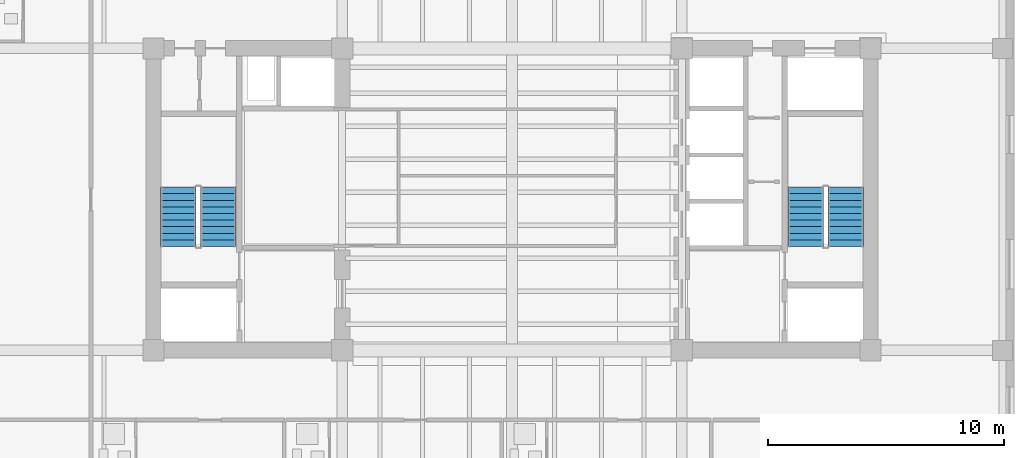
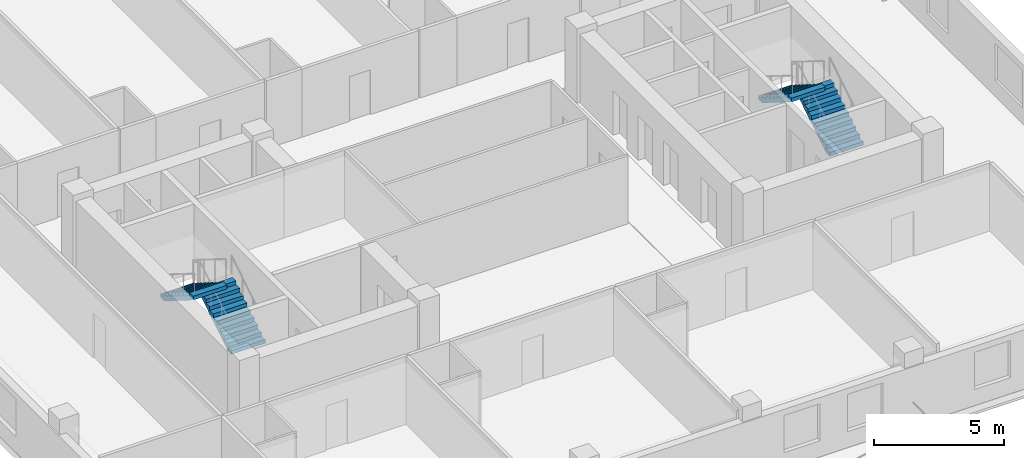
# One storey, part 6 of 10: 4 stair flights, 2 elements without a shape of their own.
"""IFC4 building model written with IfcOpenShell, lengths in metres."""

import ifcopenshell
import ifcopenshell.guid

model = None  # the IFC model being written
_history = None  # IfcOwnerHistory: only IFC2X3 demands one
_inside = {}  # id of a spatial element -> (the spatial element, [elements in it])
_under = {}  # id of a project, library or spatial element -> (it, [spatial elements below it])
_declared = {}  # id of a project -> (the project, [libraries it declares])
_typed = {}  # id of a type object -> (the type object, [elements of that type])
_made_of = {}  # id of a material, layer set ... -> (it, [elements and type objects made of it])


def new_model(schema):
    """Start an empty IFC model of exactly this schema.

    Asked for "IFC4X3", IfcOpenShell would pick the latest addendum, in which some entities
    have other attributes; the version numbers below select the first issue.
    IFC2X3 requires an IfcOwnerHistory on every rooted entity: one is made here for all.
    """
    global model, _history
    if schema == "IFC4X3":
        model = ifcopenshell.file(schema_version=(4, 3, 0, 0))
    else:
        model = ifcopenshell.file(schema=schema)
    _inside.clear()
    _under.clear()
    _declared.clear()
    _typed.clear()
    _made_of.clear()
    _history = None
    if model.schema == "IFC2X3":
        org = make("IfcOrganization", Name="unknown")
        user = make(
            "IfcPersonAndOrganization",
            ThePerson=make("IfcPerson", FamilyName="unknown"),
            TheOrganization=org,
        )
        app = make(
            "IfcApplication",
            ApplicationDeveloper=org,
            Version="unknown",
            ApplicationFullName="unknown",
            ApplicationIdentifier="unknown",
        )
        _history = make(
            "IfcOwnerHistory",
            OwningUser=user,
            OwningApplication=app,
            ChangeAction="ADDED",
            CreationDate=0,
        )
    return model


def make(cls, **values):
    """One entity of the class cls with the attributes given. An attribute that is None is left unset."""
    return model.create_entity(
        cls, **{name: value for name, value in values.items() if value is not None}
    )


def rooted(cls, **values):
    """An entity with a GlobalId (a new one), such as an element, a storey or a relation."""
    return make(cls, GlobalId=ifcopenshell.guid.new(), OwnerHistory=_history, **values)


def si_unit(unit_type, name, prefix=None):
    """IfcSIUnit, for example si_unit("LENGTHUNIT", "METRE", prefix="MILLI")."""
    return make("IfcSIUnit", UnitType=unit_type, Prefix=prefix, Name=name)


def assignment(units):
    """IfcUnitAssignment: the units of a project."""
    return None if units is None else make("IfcUnitAssignment", Units=units)


def point(xyz):
    """IfcCartesianPoint."""
    return None if xyz is None else make("IfcCartesianPoint", Coordinates=xyz)


def direction(xyz):
    """IfcDirection."""
    return None if xyz is None else make("IfcDirection", DirectionRatios=xyz)


def frame(location, z_axis=None, x_axis=None):
    """IfcAxis2Placement3D, a coordinate frame: its origin and axes. An axis left out is left unset."""
    return make(
        "IfcAxis2Placement3D",
        Location=point(location),
        Axis=direction(z_axis),
        RefDirection=direction(x_axis),
    )


def origin():
    """The frame at (0, 0, 0) with its axes left unset."""
    return frame((0.0, 0.0, 0.0))


def place(relative_to, where):
    """IfcLocalPlacement: puts the frame where relative to a parent placement (None: the world)."""
    return make(
        "IfcLocalPlacement", PlacementRelTo=relative_to, RelativePlacement=where
    )


def context(
    kind, dimensions, precision=None, world=None, true_north=None, identifier=None
):
    """IfcGeometricRepresentationContext, for example the 3D "Model" context."""
    return make(
        "IfcGeometricRepresentationContext",
        ContextIdentifier=identifier,
        ContextType=kind,
        CoordinateSpaceDimension=dimensions,
        Precision=precision,
        WorldCoordinateSystem=world,
        TrueNorth=true_north,
    )


def subcontext(parent, identifier, kind, view, scale=None):
    """IfcGeometricRepresentationSubContext, for example "Body" below "Model"."""
    return make(
        "IfcGeometricRepresentationSubContext",
        ContextIdentifier=identifier,
        ContextType=kind,
        ParentContext=parent,
        TargetScale=scale,
        TargetView=view,
    )


def project(units=None, contexts=None):
    """IfcProject with its units and contexts."""
    return rooted(
        "IfcProject",
        Name="project",
        RepresentationContexts=contexts,
        UnitsInContext=assignment(units),
    )


def spatial(cls, under=None, at=None, **own):
    """A site, building, storey or space (cls), placed at a placement, below another one or the project."""
    s = rooted(cls, ObjectPlacement=at, **own)
    if under is not None:
        _under.setdefault(under.id(), (under, []))[1].append(s)
    return s


def polyline(points):
    """IfcPolyline through the points."""
    return make("IfcPolyline", Points=[point(p) for p in points])


def outline(outer, holes=None, kind="AREA"):
    """IfcArbitraryClosedProfileDef: a profile drawn as a closed curve; with holes, ...WithVoids."""
    if holes is None:
        return make("IfcArbitraryClosedProfileDef", ProfileType=kind, OuterCurve=outer)
    return make(
        "IfcArbitraryProfileDefWithVoids",
        ProfileType=kind,
        OuterCurve=outer,
        InnerCurves=holes,
    )


def extrude(swept, where, along, depth):
    """IfcExtrudedAreaSolid: the profile swept, set in the frame where, extruded along a direction by depth."""
    return make(
        "IfcExtrudedAreaSolid",
        SweptArea=swept,
        Position=where,
        ExtrudedDirection=direction(along),
        Depth=depth,
    )


def shape(context_of_items, identifier, shape_type, items):
    """IfcShapeRepresentation: the items that make up one representation, for example the "Body"."""
    return make(
        "IfcShapeRepresentation",
        ContextOfItems=context_of_items,
        RepresentationIdentifier=identifier,
        RepresentationType=shape_type,
        Items=items,
    )


def material(Name=None, Category=None):
    """IfcMaterial."""
    return make("IfcMaterial", Name=Name, Category=Category)


def made_of(thing, what):
    """Note that an element or type object is made of a material, layer set ...; save() writes the relation."""
    if what is not None:
        _made_of.setdefault(what.id(), (what, []))[1].append(thing)
    return thing


def type_object(cls, material=None, **own):
    """A type object (cls), such as IfcWallType, which elements share."""
    return made_of(rooted(cls, **own), material)


def element(
    cls,
    number,
    at=None,
    inside=None,
    cuts=None,
    type_object=None,
    material=None,
    context=None,
    identifier="Body",
    shape_type=None,
    held_by="IfcProductDefinitionShape",
    body=None,
    shapes=None,
    **own,
):
    """One element of the class cls, such as IfcWall. Its Tag is "e" and its number.

    at: its placement. inside: the storey or other place that contains it. cuts: it is an
    opening in that element (IfcRelVoidsElement). A single representation is given by context,
    identifier, shape_type and body (its items); several are given by shapes. held_by: the class
    of the entity that holds the representations. save() writes the other relations.
    """
    e = rooted(cls, Tag="e%d" % number, ObjectPlacement=at, **own)
    if body is not None:
        shapes = [shape(context, identifier, shape_type, body)]
    if shapes is not None:
        e.Representation = make(held_by, Representations=shapes)
    if inside is not None:
        _inside.setdefault(inside.id(), (inside, []))[1].append(e)
    if cuts is not None:
        rooted(
            "IfcRelVoidsElement", RelatingBuildingElement=cuts, RelatedOpeningElement=e
        )
    if type_object is not None:
        _typed.setdefault(type_object.id(), (type_object, []))[1].append(e)
    return made_of(e, material)


def aggregate(whole, parts):
    """IfcRelAggregates: a whole, such as a stair, and the parts it consists of."""
    return rooted("IfcRelAggregates", RelatingObject=whole, RelatedObjects=parts)


def save(model, path):
    """Write the relations noted so far, then the file.

    IfcRelAggregates (storeys below a building ...), IfcRelContainedInSpatialStructure (elements
    in a storey), IfcRelDefinesByType, IfcRelAssociatesMaterial and IfcRelDeclares: one each for
    every whole, place, type object, material and project.
    """
    for whole, parts in _under.values():
        aggregate(whole, parts)
    for where, things in _inside.values():
        rooted(
            "IfcRelContainedInSpatialStructure",
            RelatedElements=things,
            RelatingStructure=where,
        )
    for kind, things in _typed.values():
        rooted("IfcRelDefinesByType", RelatedObjects=things, RelatingType=kind)
    for what, things in _made_of.values():
        rooted("IfcRelAssociatesMaterial", RelatedObjects=things, RelatingMaterial=what)
    for by, libraries in _declared.values():
        rooted("IfcRelDeclares", RelatingContext=by, RelatedDefinitions=libraries)
    model.write(path)


model = new_model("IFC4")

# Units and contexts
model_context = context("Model", 3, precision=1e-05, world=origin(), true_north=direction((0.0, 1.0)))
body_context = subcontext(model_context, "Body", "Model", "MODEL_VIEW")
ifc_project = project(units=[si_unit("LENGTHUNIT", "METRE"), si_unit("AREAUNIT", "SQUARE_METRE"), si_unit("VOLUMEUNIT", "CUBIC_METRE"), si_unit("PLANEANGLEUNIT", "RADIAN"), si_unit("MASSUNIT", "GRAM", prefix="KILO")], contexts=[model_context])

# Site, building, storey
site_placement = place(None, origin())
site = spatial("IfcSite", under=ifc_project, at=site_placement, CompositionType="ELEMENT")
building_placement = place(site_placement, origin())
building = spatial("IfcBuilding", under=site, at=building_placement, Name="Kranthara Brick Stack", CompositionType="ELEMENT")
storey_placement = place(building_placement, frame((0.0, 0.0, 186.800048828125)))
storey = spatial("IfcBuildingStorey", under=building, at=storey_placement, Name="L48", CompositionType="ELEMENT", Elevation=186.800048828125)

# Stair, stair flights
ifc_material_1 = material(Name="Concrete C45/55", Category="concrete")
stair_type = type_object("IfcStairType", Name="ST-CORE-20R", PredefinedType="HALF_TURN_STAIR", material=ifc_material_1)
stair_1_placement = place(storey_placement, origin())
stair_1 = element("IfcStair", 1, at=stair_1_placement, inside=storey, type_object=stair_type, Name="L48 West Core Protected Exit Stair ST01", PredefinedType="HALF_TURN_STAIR")
ifc_material_2 = material(Name="Concrete C45/55", Category="concrete")
stair_flight_type = type_object("IfcStairFlightType", Name="SFL-RC-20R", PredefinedType="STRAIGHT", material=ifc_material_2)
stair_flight_1_placement = place(storey_placement, frame((15.550048828125, 25.199951171875, 0.0), z_axis=(0.0, 0.0, 1.0), x_axis=(0.0, 1.0, 0.0)))
stair_flight_1 = element("IfcStairFlight", 2, at=stair_flight_1_placement, type_object=stair_flight_type, Name="ST01 flight 1", NumberOfRisers=10, NumberOfTreads=9, PredefinedType="STRAIGHT", RiserHeight=0.175, TreadLength=0.28, context=body_context, shape_type="SweptSolid", body=[
    extrude(outline(polyline([(0.0, 0.0), (0.0, 0.175048828125), (0.280029296875, 0.175048828125), (0.280029296875, 0.35009765625), (0.56005859375, 0.35009765625), (0.56005859375, 0.52490234375), (0.840087890625, 0.52490234375), (0.840087890625, 0.699951171875), (1.1201171875, 0.699951171875), (1.1201171875, 0.875), (1.39990234375, 0.875), (1.39990234375, 1.050048828125), (1.679931640625, 1.050048828125), (1.679931640625, 1.22509765625), (1.9599609375, 1.22509765625), (1.9599609375, 1.39990234375), (2.239990234375, 1.39990234375), (2.239990234375, 1.574951171875), (2.52001953125, 1.574951171875), (2.52001953125, 1.75), (2.52001953125, 1.398193359375), (0.28271484375, 0.0), (0.0, 0.0)])), frame((0.0, 0.75, 0.0), z_axis=(0.0, -1.0, 0.0), x_axis=(1.0, 0.0, 0.0)), (0.0, 0.0, 1.0), 1.5),
])
stair_flight_2_placement = place(storey_placement, frame((13.85009765625, 27.719970703125, 1.75), z_axis=(0.0, 0.0, 1.0), x_axis=(0.0, -1.0, 0.0)))
stair_flight_2 = element("IfcStairFlight", 3, at=stair_flight_2_placement, type_object=stair_flight_type, Name="ST01 flight 2", NumberOfRisers=10, NumberOfTreads=9, PredefinedType="STRAIGHT", RiserHeight=0.175, TreadLength=0.28, context=body_context, shape_type="SweptSolid", body=[
    extrude(outline(polyline([(0.0, 0.0), (0.0, 0.175048828125), (0.280029296875, 0.175048828125), (0.280029296875, 0.35009765625), (0.56005859375, 0.35009765625), (0.56005859375, 0.52490234375), (0.840087890625, 0.52490234375), (0.840087890625, 0.699951171875), (1.1201171875, 0.699951171875), (1.1201171875, 0.875), (1.39990234375, 0.875), (1.39990234375, 1.050048828125), (1.679931640625, 1.050048828125), (1.679931640625, 1.22509765625), (1.9599609375, 1.22509765625), (1.9599609375, 1.39990234375), (2.239990234375, 1.39990234375), (2.239990234375, 1.574951171875), (2.52001953125, 1.574951171875), (2.52001953125, 1.75), (2.52001953125, 1.398193359375), (0.28271484375, 0.0), (0.0, 0.0)])), frame((0.0, 0.75, 0.0), z_axis=(0.0, -1.0, 0.0), x_axis=(1.0, 0.0, 0.0)), (0.0, 0.0, 1.0), 1.5),
])
aggregate(stair_1, [stair_flight_1, stair_flight_2])

stair_2_placement = place(storey_placement, origin())
stair_2 = element("IfcStair", 4, at=stair_2_placement, inside=storey, type_object=stair_type, Name="L48 East Core Protected Exit Stair ST02", PredefinedType="HALF_TURN_STAIR")
stair_flight_3_placement = place(storey_placement, frame((42.14990234375, 25.199951171875, 0.0), z_axis=(0.0, 0.0, 1.0), x_axis=(0.0, 1.0, 0.0)))
stair_flight_3 = element("IfcStairFlight", 5, at=stair_flight_3_placement, type_object=stair_flight_type, Name="ST02 flight 1", NumberOfRisers=10, NumberOfTreads=9, PredefinedType="STRAIGHT", RiserHeight=0.175, TreadLength=0.28, context=body_context, shape_type="SweptSolid", body=[
    extrude(outline(polyline([(0.0, 0.0), (0.0, 0.175048828125), (0.280029296875, 0.175048828125), (0.280029296875, 0.35009765625), (0.56005859375, 0.35009765625), (0.56005859375, 0.52490234375), (0.840087890625, 0.52490234375), (0.840087890625, 0.699951171875), (1.1201171875, 0.699951171875), (1.1201171875, 0.875), (1.39990234375, 0.875), (1.39990234375, 1.050048828125), (1.679931640625, 1.050048828125), (1.679931640625, 1.22509765625), (1.9599609375, 1.22509765625), (1.9599609375, 1.39990234375), (2.239990234375, 1.39990234375), (2.239990234375, 1.574951171875), (2.52001953125, 1.574951171875), (2.52001953125, 1.75), (2.52001953125, 1.398193359375), (0.28271484375, 0.0), (0.0, 0.0)])), frame((0.0, 0.75, 0.0), z_axis=(0.0, -1.0, 0.0), x_axis=(1.0, 0.0, 0.0)), (0.0, 0.0, 1.0), 1.5),
])
stair_flight_4_placement = place(storey_placement, frame((40.449951171875, 27.719970703125, 1.75), z_axis=(0.0, 0.0, 1.0), x_axis=(0.0, -1.0, 0.0)))
stair_flight_4 = element("IfcStairFlight", 6, at=stair_flight_4_placement, type_object=stair_flight_type, Name="ST02 flight 2", NumberOfRisers=10, NumberOfTreads=9, PredefinedType="STRAIGHT", RiserHeight=0.175, TreadLength=0.28, context=body_context, shape_type="SweptSolid", body=[
    extrude(outline(polyline([(0.0, 0.0), (0.0, 0.175048828125), (0.280029296875, 0.175048828125), (0.280029296875, 0.35009765625), (0.56005859375, 0.35009765625), (0.56005859375, 0.52490234375), (0.840087890625, 0.52490234375), (0.840087890625, 0.699951171875), (1.1201171875, 0.699951171875), (1.1201171875, 0.875), (1.39990234375, 0.875), (1.39990234375, 1.050048828125), (1.679931640625, 1.050048828125), (1.679931640625, 1.22509765625), (1.9599609375, 1.22509765625), (1.9599609375, 1.39990234375), (2.239990234375, 1.39990234375), (2.239990234375, 1.574951171875), (2.52001953125, 1.574951171875), (2.52001953125, 1.75), (2.52001953125, 1.398193359375), (0.28271484375, 0.0), (0.0, 0.0)])), frame((0.0, 0.75, 0.0), z_axis=(0.0, -1.0, 0.0), x_axis=(1.0, 0.0, 0.0)), (0.0, 0.0, 1.0), 1.5),
])
aggregate(stair_2, [stair_flight_3, stair_flight_4])

save(model, "model.ifc")
